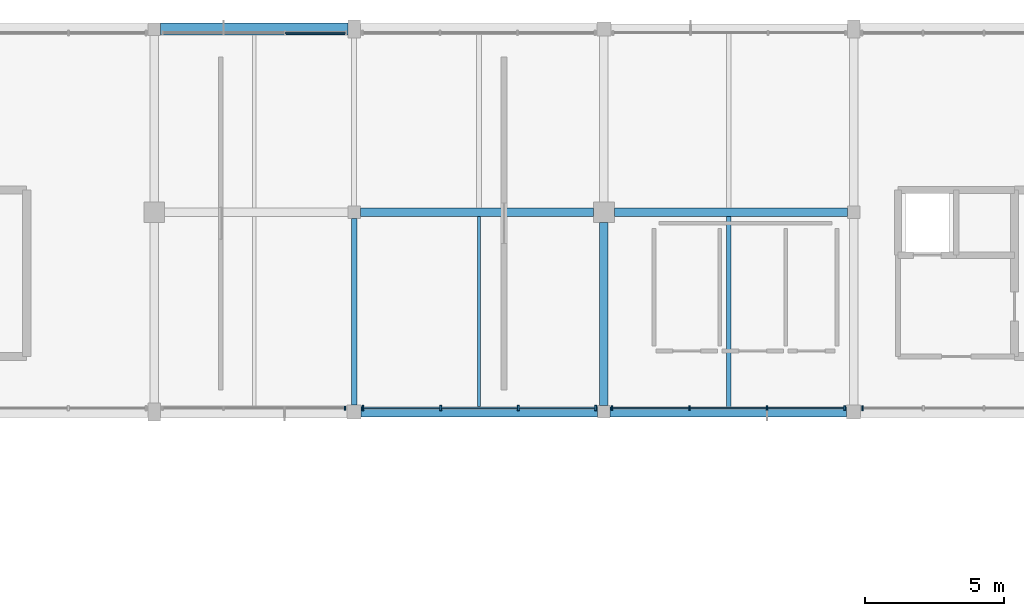
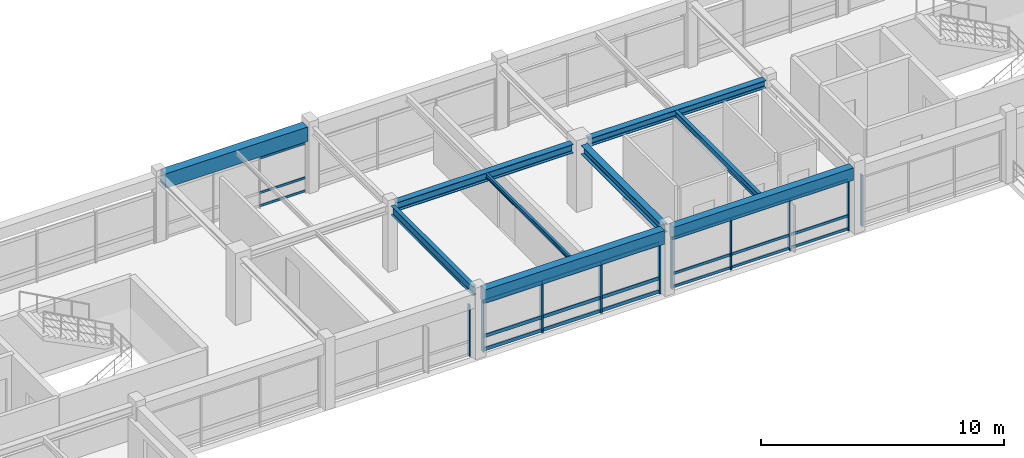
# One storey, part 25 of 74: 31 members, 9 beams, 5 elements without a shape of their own.
"""IFC4 building model written with IfcOpenShell, lengths in metres."""

from ifc_helpers import new_model, si_unit, direction, frame, origin, origin_2d, place, context, subcontext, project, spatial, rectangle, i_section, extrude, material, material_profile, profile_set, type_object, element, aggregate, save


model = new_model("IFC4")

# Units and contexts
model_context = context("Model", 3, precision=1e-05, world=origin(), true_north=direction((0.0, 1.0)))
body_context = subcontext(model_context, "Body", "Model", "MODEL_VIEW")
ifc_project = project(units=[si_unit("LENGTHUNIT", "METRE"), si_unit("AREAUNIT", "SQUARE_METRE"), si_unit("VOLUMEUNIT", "CUBIC_METRE"), si_unit("PLANEANGLEUNIT", "RADIAN"), si_unit("MASSUNIT", "GRAM", prefix="KILO")], contexts=[model_context])

# Site, building, storey
site_placement = place(None, origin())
site = spatial("IfcSite", under=ifc_project, at=site_placement, CompositionType="ELEMENT")
building_placement = place(site_placement, origin())
building = spatial("IfcBuilding", under=site, at=building_placement, Name="Clarverna Civic Hall", CompositionType="ELEMENT")
storey_placement = place(building_placement, frame((0.0, 0.0, 13.199951171875)))
storey = spatial("IfcBuildingStorey", under=building, at=storey_placement, Name="L03", CompositionType="ELEMENT", Elevation=13.199951171875)

# Beams
ifc_material_1 = material(Name="Concrete C35/45", Category="concrete")
ifc_material_profile_1 = material_profile(ifc_material_1, rectangle(XDim=0.419921875, YDim=0.719970703125, at=origin_2d()), Name="RC 420x720")
ifc_profile_set_1 = profile_set([ifc_material_profile_1], Name="Concrete C35/45")
beam_type_1 = type_object("IfcBeamType", Name="B-SP1", PredefinedType="SPANDREL", material=ifc_profile_set_1)
beam_1_placement = place(storey_placement, frame((25.425048828125, 116.0, 2.93994140625), z_axis=(1.0, 0.0, 0.0), x_axis=(0.0, 1.0, 0.0)))
element("IfcBeam", 1, at=beam_1_placement, inside=storey, type_object=beam_type_1, Name="B-SP1-115", PredefinedType="SPANDREL", context=body_context, shape_type="SweptSolid", body=[
    extrude(rectangle(XDim=0.419921875, YDim=0.719970703125, at=origin_2d()), origin(), (0.0, 0.0, 1.0), 6.75),
])
ifc_material_profile_2 = material_profile(ifc_material_1, rectangle(XDim=0.3798828125, YDim=0.679931640625, at=origin_2d()), Name="RC 380x680")
ifc_profile_set_2 = profile_set([ifc_material_profile_2], Name="Concrete C35/45")
beam_type_2 = type_object("IfcBeamType", Name="B-SP2", PredefinedType="SPANDREL", material=ifc_profile_set_2)
beam_2_placement = place(storey_placement, frame((32.64990234375, 102.199951171875, 2.9599609375), z_axis=(1.0, 0.0, 0.0), x_axis=(0.0, 1.0, 0.0)))
element("IfcBeam", 2, at=beam_2_placement, inside=storey, type_object=beam_type_2, Name="B-SP2-117", PredefinedType="SPANDREL", context=body_context, shape_type="SweptSolid", body=[
    extrude(rectangle(XDim=0.3798828125, YDim=0.679931640625, at=origin_2d()), origin(), (0.0, 0.0, 1.0), 8.525146484375),
])
ifc_material_profile_3 = material_profile(ifc_material_1, rectangle(XDim=0.360107421875, YDim=0.6201171875, at=origin_2d()), Name="RC 360x620")
ifc_profile_set_3 = profile_set([ifc_material_profile_3], Name="Concrete C35/45")
beam_type_3 = type_object("IfcBeamType", Name="B-SP3", PredefinedType="SPANDREL", material=ifc_profile_set_3)
beam_3_placement = place(storey_placement, frame((41.625, 102.199951171875, 2.989990234375), z_axis=(1.0, 0.0, 0.0), x_axis=(0.0, 1.0, 0.0)))
element("IfcBeam", 3, at=beam_3_placement, inside=storey, type_object=beam_type_3, Name="B-SP3-115", PredefinedType="SPANDREL", context=body_context, shape_type="SweptSolid", body=[
    extrude(rectangle(XDim=0.360107421875, YDim=0.6201171875, at=origin_2d()), origin(), (0.0, 0.0, 1.0), 8.52490234375),
])
ifc_material_2 = material(Name="Steel S355", Category="steel")
ifc_material_profile_4 = material_profile(ifc_material_2, i_section(OverallWidth=0.18994140625, OverallDepth=0.449951171875, WebThickness=0.009521484375, FlangeThickness=0.0146484375, FilletRadius=0.02099609375, at=origin_2d()), Name="IPE 450")
ifc_profile_set_4 = profile_set([ifc_material_profile_4], Name="Steel S355")
beam_type_4 = type_object("IfcBeamType", Name="B-ST13", PredefinedType="BEAM", material=ifc_profile_set_4)
beam_4_placement = place(storey_placement, frame((32.39990234375, 102.449951171875, 3.074951171875), z_axis=(0.0, 1.0, 0.0), x_axis=(-1.0, 0.0, 0.0)))
element("IfcBeam", 4, at=beam_4_placement, inside=storey, type_object=beam_type_4, Name="B-ST13-017", PredefinedType="BEAM", context=body_context, shape_type="SweptSolid", body=[
    extrude(i_section(OverallWidth=0.18994140625, OverallDepth=0.449951171875, WebThickness=0.009521484375, FlangeThickness=0.0146484375, FilletRadius=0.02099609375, at=origin_2d()), origin(), (0.0, 0.0, 1.0), 6.72509765625),
])
ifc_material_profile_5 = material_profile(ifc_material_2, i_section(OverallWidth=0.300048828125, OverallDepth=0.449951171875, WebThickness=0.013916015625, FlangeThickness=0.02587890625, FilletRadius=0.027099609375, at=origin_2d()), Name="HEB 450")
ifc_profile_set_5 = profile_set([ifc_material_profile_5], Name="Steel S355")
beam_type_5 = type_object("IfcBeamType", Name="B-ST3", PredefinedType="BEAM", material=ifc_profile_set_5)
beam_5_placement = place(storey_placement, frame((41.39990234375, 102.425048828125, 3.074951171875), z_axis=(0.0, 1.0, 0.0), x_axis=(-1.0, 0.0, 0.0)))
element("IfcBeam", 5, at=beam_5_placement, inside=storey, type_object=beam_type_5, Name="B-ST3-016", PredefinedType="BEAM", context=body_context, shape_type="SweptSolid", body=[
    extrude(i_section(OverallWidth=0.300048828125, OverallDepth=0.449951171875, WebThickness=0.013916015625, FlangeThickness=0.02587890625, FilletRadius=0.027099609375, at=origin_2d()), origin(), (0.0, 0.0, 1.0), 6.599853515625),
])
ifc_material_profile_6 = material_profile(ifc_material_2, i_section(OverallWidth=0.300048828125, OverallDepth=0.43994140625, WebThickness=0.011474609375, FlangeThickness=0.02099609375, FilletRadius=0.027099609375, at=origin_2d()), Name="HEA 450")
ifc_profile_set_6 = profile_set([ifc_material_profile_6], Name="Steel S355")
beam_type_6 = type_object("IfcBeamType", Name="B-ST5", PredefinedType="BEAM", material=ifc_profile_set_6)
beam_6_placement = place(storey_placement, frame((32.625, 109.39990234375, 3.080078125), z_axis=(1.0, 0.0, 0.0), x_axis=(0.0, 1.0, 0.0)))
element("IfcBeam", 6, at=beam_6_placement, inside=storey, type_object=beam_type_6, Name="B-ST5-109", PredefinedType="BEAM", context=body_context, shape_type="SweptSolid", body=[
    extrude(i_section(OverallWidth=0.300048828125, OverallDepth=0.43994140625, WebThickness=0.011474609375, FlangeThickness=0.02099609375, FilletRadius=0.027099609375, at=origin_2d()), origin(), (0.0, 0.0, 1.0), 8.39990234375),
])
ifc_material_profile_7 = material_profile(ifc_material_2, i_section(OverallWidth=0.300048828125, OverallDepth=0.389892578125, WebThickness=0.010986328125, FlangeThickness=0.01904296875, FilletRadius=0.027099609375, at=origin_2d()), Name="HEA 400")
ifc_profile_set_7 = profile_set([ifc_material_profile_7], Name="Steel S355")
beam_type_7 = type_object("IfcBeamType", Name="B-ST6", PredefinedType="BEAM", material=ifc_profile_set_7)
beam_7_placement = place(storey_placement, frame((41.77490234375, 109.39990234375, 3.10498046875), z_axis=(1.0, 0.0, 0.0), x_axis=(0.0, 1.0, 0.0)))
element("IfcBeam", 7, at=beam_7_placement, inside=storey, type_object=beam_type_7, Name="B-ST6-013", PredefinedType="BEAM", context=body_context, shape_type="SweptSolid", body=[
    extrude(i_section(OverallWidth=0.300048828125, OverallDepth=0.389892578125, WebThickness=0.010986328125, FlangeThickness=0.01904296875, FilletRadius=0.027099609375, at=origin_2d()), origin(), (0.0, 0.0, 1.0), 8.400146484375),
])

# Curtain wall, member
ifc_material_3 = material(Name="Anodised Bronze Architectural Aluminium", Category="aluminium")
curtain_wall_type = type_object("IfcCurtainWallType", Name="CW-05", PredefinedType="USERDEFINED", material=ifc_material_3)
curtain_wall_1_placement = place(storey_placement, origin())
curtain_wall_1 = element("IfcCurtainWall", 8, at=curtain_wall_1_placement, inside=storey, type_object=curtain_wall_type, Name="CW-05-009", ObjectType="UNITISED CURTAIN WALL", PredefinedType="USERDEFINED")
ifc_material_profile_8 = material_profile(ifc_material_3, rectangle(XDim=0.06005859375, YDim=0.179931640625, at=origin_2d()), Name="BRONZE 60x180")
ifc_profile_set_8 = profile_set([ifc_material_profile_8], Name="Anodised Bronze Architectural Aluminium")
member_type_1 = type_object("IfcMemberType", Name="CWM-01", PredefinedType="MULLION", material=ifc_profile_set_8)
member_1_placement = place(storey_placement, frame((50.722900390625, 102.340087890625, 0.0), z_axis=(0.0, 0.0, 1.0), x_axis=(1.0, 0.0, 0.0)))
member_1 = element("IfcMember", 9, at=member_1_placement, type_object=member_type_1, Name="CWM-01-139", PredefinedType="MULLION", context=body_context, shape_type="SweptSolid", body=[
    extrude(rectangle(XDim=0.06005859375, YDim=0.179931640625, at=origin_2d()), origin(), (0.0, 0.0, 1.0), 2.580078125),
])
aggregate(curtain_wall_1, [member_1])

# Curtain wall, members
curtain_wall_2_placement = place(storey_placement, origin())
curtain_wall_2 = element("IfcCurtainWall", 10, at=curtain_wall_2_placement, inside=storey, type_object=curtain_wall_type, Name="CW-05-010", ObjectType="UNITISED CURTAIN WALL", PredefinedType="USERDEFINED")
ifc_material_profile_9 = material_profile(ifc_material_3, rectangle(XDim=0.06005859375, YDim=0.159912109375, at=origin_2d()), Name="BRONZE 60x160")
ifc_profile_set_9 = profile_set([ifc_material_profile_9], Name="Anodised Bronze Architectural Aluminium")
member_type_2 = type_object("IfcMemberType", Name="CWM-02", PredefinedType="MULLION", material=ifc_profile_set_9)
member_2_placement = place(storey_placement, frame((50.076904296875, 102.340087890625, 0.0), z_axis=(0.0, 0.0, 1.0), x_axis=(1.0, 0.0, 0.0)))
member_2 = element("IfcMember", 11, at=member_2_placement, type_object=member_type_2, Name="CWM-02-176", PredefinedType="MULLION", context=body_context, shape_type="SweptSolid", body=[
    extrude(rectangle(XDim=0.06005859375, YDim=0.159912109375, at=origin_2d()), origin(), (0.0, 0.0, 1.0), 2.6201171875),
])
member_3_placement = place(storey_placement, frame((47.283935546875, 102.340087890625, 0.0), z_axis=(0.0, 0.0, 1.0), x_axis=(1.0, 0.0, 0.0)))
member_3 = element("IfcMember", 12, at=member_3_placement, type_object=member_type_2, Name="CWM-02-177", PredefinedType="MULLION", context=body_context, shape_type="SweptSolid", body=[
    extrude(rectangle(XDim=0.06005859375, YDim=0.159912109375, at=origin_2d()), origin(), (0.0, 0.0, 1.0), 2.6201171875),
])
member_4_placement = place(storey_placement, frame((44.490966796875, 102.340087890625, 0.0), z_axis=(0.0, 0.0, 1.0), x_axis=(1.0, 0.0, 0.0)))
member_4 = element("IfcMember", 13, at=member_4_placement, type_object=member_type_2, Name="CWM-02-178", PredefinedType="MULLION", context=body_context, shape_type="SweptSolid", body=[
    extrude(rectangle(XDim=0.06005859375, YDim=0.159912109375, at=origin_2d()), origin(), (0.0, 0.0, 1.0), 2.6201171875),
])
member_5_placement = place(storey_placement, frame((41.697998046875, 102.340087890625, 0.0), z_axis=(0.0, 0.0, 1.0), x_axis=(1.0, 0.0, 0.0)))
member_5 = element("IfcMember", 14, at=member_5_placement, type_object=member_type_2, Name="CWM-02-179", PredefinedType="MULLION", context=body_context, shape_type="SweptSolid", body=[
    extrude(rectangle(XDim=0.06005859375, YDim=0.159912109375, at=origin_2d()), origin(), (0.0, 0.0, 1.0), 2.6201171875),
])

curtain_wall_3_placement = place(storey_placement, origin())
curtain_wall_3 = element("IfcCurtainWall", 15, at=curtain_wall_3_placement, inside=storey, type_object=curtain_wall_type, Name="CW-05-011", ObjectType="UNITISED CURTAIN WALL", PredefinedType="USERDEFINED")
ifc_material_profile_10 = material_profile(ifc_material_3, rectangle(XDim=0.06494140625, YDim=0.199951171875, at=origin_2d()), Name="BRONZE 65x200")
ifc_profile_set_10 = profile_set([ifc_material_profile_10], Name="Anodised Bronze Architectural Aluminium")
member_type_3 = type_object("IfcMemberType", Name="CWM-03", PredefinedType="MULLION", material=ifc_profile_set_10)
member_6_placement = place(storey_placement, frame((41.10205078125, 102.340087890625, 0.0), z_axis=(0.0, 0.0, 1.0), x_axis=(1.0, 0.0, 0.0)))
member_6 = element("IfcMember", 16, at=member_6_placement, type_object=member_type_3, Name="CWM-03-139", PredefinedType="MULLION", context=body_context, shape_type="SweptSolid", body=[
    extrude(rectangle(XDim=0.06494140625, YDim=0.199951171875, at=origin_2d()), origin(), (0.0, 0.0, 1.0), 2.580078125),
])
member_7_placement = place(storey_placement, frame((38.30908203125, 102.340087890625, 0.0), z_axis=(0.0, 0.0, 1.0), x_axis=(1.0, 0.0, 0.0)))
member_7 = element("IfcMember", 17, at=member_7_placement, type_object=member_type_3, Name="CWM-03-140", PredefinedType="MULLION", context=body_context, shape_type="SweptSolid", body=[
    extrude(rectangle(XDim=0.06494140625, YDim=0.199951171875, at=origin_2d()), origin(), (0.0, 0.0, 1.0), 2.580078125),
])
member_8_placement = place(storey_placement, frame((35.51611328125, 102.340087890625, 0.0), z_axis=(0.0, 0.0, 1.0), x_axis=(1.0, 0.0, 0.0)))
member_8 = element("IfcMember", 18, at=member_8_placement, type_object=member_type_3, Name="CWM-03-141", PredefinedType="MULLION", context=body_context, shape_type="SweptSolid", body=[
    extrude(rectangle(XDim=0.06494140625, YDim=0.199951171875, at=origin_2d()), origin(), (0.0, 0.0, 1.0), 2.580078125),
])
member_9_placement = place(storey_placement, frame((32.722900390625, 102.340087890625, 0.0), z_axis=(0.0, 0.0, 1.0), x_axis=(1.0, 0.0, 0.0)))
member_9 = element("IfcMember", 19, at=member_9_placement, type_object=member_type_3, Name="CWM-03-142", PredefinedType="MULLION", context=body_context, shape_type="SweptSolid", body=[
    extrude(rectangle(XDim=0.06494140625, YDim=0.199951171875, at=origin_2d()), origin(), (0.0, 0.0, 1.0), 2.580078125),
])

# Curtain wall, member
curtain_wall_4_placement = place(storey_placement, origin())
curtain_wall_4 = element("IfcCurtainWall", 20, at=curtain_wall_4_placement, inside=storey, type_object=curtain_wall_type, Name="CW-05-012", ObjectType="UNITISED CURTAIN WALL", PredefinedType="USERDEFINED")
ifc_material_profile_11 = material_profile(ifc_material_3, rectangle(XDim=0.054931640625, YDim=0.139892578125, at=origin_2d()), Name="BRONZE 55x140")
ifc_profile_set_11 = profile_set([ifc_material_profile_11], Name="Anodised Bronze Architectural Aluminium")
member_type_4 = type_object("IfcMemberType", Name="CWM-04", PredefinedType="MULLION", material=ifc_profile_set_11)
member_10_placement = place(storey_placement, frame((32.076904296875, 102.340087890625, 0.0), z_axis=(0.0, 0.0, 1.0), x_axis=(1.0, 0.0, 0.0)))
member_10 = element("IfcMember", 21, at=member_10_placement, type_object=member_type_4, Name="CWM-04-180", PredefinedType="MULLION", context=body_context, shape_type="SweptSolid", body=[
    extrude(rectangle(XDim=0.054931640625, YDim=0.139892578125, at=origin_2d()), origin(), (0.0, 0.0, 1.0), 2.580078125),
])
aggregate(curtain_wall_4, [member_10])

# Member
ifc_material_profile_12 = material_profile(ifc_material_3, rectangle(XDim=0.06005859375, YDim=0.1298828125, at=origin_2d()), Name="BRONZE 60x130")
ifc_profile_set_12 = profile_set([ifc_material_profile_12], Name="Anodised Bronze Architectural Aluminium")
member_type_5 = type_object("IfcMemberType", Name="CWT-02", PredefinedType="USERDEFINED", material=ifc_profile_set_12)
member_11_placement = place(storey_placement, frame((50.06201171875, 102.340087890625, 0.094970703125), z_axis=(-1.0, 0.0, 0.0), x_axis=(0.0, -1.0, 0.0)))
member_11 = element("IfcMember", 22, at=member_11_placement, type_object=member_type_5, Name="CWT-02-370", ObjectType="TRANSOM", PredefinedType="USERDEFINED", context=body_context, shape_type="SweptSolid", body=[
    extrude(rectangle(XDim=0.06005859375, YDim=0.1298828125, at=origin_2d()), origin(), (0.0, 0.0, 1.0), 2.762939453125),
])

member_12_placement = place(storey_placement, frame((50.06201171875, 102.340087890625, 0.75), z_axis=(-1.0, 0.0, 0.0), x_axis=(0.0, -1.0, 0.0)))
member_12 = element("IfcMember", 23, at=member_12_placement, type_object=member_type_5, Name="CWT-02-371", ObjectType="TRANSOM", PredefinedType="USERDEFINED", context=body_context, shape_type="SweptSolid", body=[
    extrude(rectangle(XDim=0.06005859375, YDim=0.1298828125, at=origin_2d()), origin(), (0.0, 0.0, 1.0), 2.762939453125),
])

member_13_placement = place(storey_placement, frame((50.06201171875, 102.340087890625, 2.525146484375), z_axis=(-1.0, 0.0, 0.0), x_axis=(0.0, -1.0, 0.0)))
member_13 = element("IfcMember", 24, at=member_13_placement, type_object=member_type_5, Name="CWT-02-372", ObjectType="TRANSOM", PredefinedType="USERDEFINED", context=body_context, shape_type="SweptSolid", body=[
    extrude(rectangle(XDim=0.06005859375, YDim=0.1298828125, at=origin_2d()), origin(), (0.0, 0.0, 1.0), 2.762939453125),
])

member_14_placement = place(storey_placement, frame((47.26904296875, 102.340087890625, 0.094970703125), z_axis=(-1.0, 0.0, 0.0), x_axis=(0.0, -1.0, 0.0)))
member_14 = element("IfcMember", 25, at=member_14_placement, type_object=member_type_5, Name="CWT-02-373", ObjectType="TRANSOM", PredefinedType="USERDEFINED", context=body_context, shape_type="SweptSolid", body=[
    extrude(rectangle(XDim=0.06005859375, YDim=0.1298828125, at=origin_2d()), origin(), (0.0, 0.0, 1.0), 2.762939453125),
])

member_15_placement = place(storey_placement, frame((47.26904296875, 102.340087890625, 0.75), z_axis=(-1.0, 0.0, 0.0), x_axis=(0.0, -1.0, 0.0)))
member_15 = element("IfcMember", 26, at=member_15_placement, type_object=member_type_5, Name="CWT-02-374", ObjectType="TRANSOM", PredefinedType="USERDEFINED", context=body_context, shape_type="SweptSolid", body=[
    extrude(rectangle(XDim=0.06005859375, YDim=0.1298828125, at=origin_2d()), origin(), (0.0, 0.0, 1.0), 2.762939453125),
])

member_16_placement = place(storey_placement, frame((47.26904296875, 102.340087890625, 2.525146484375), z_axis=(-1.0, 0.0, 0.0), x_axis=(0.0, -1.0, 0.0)))
member_16 = element("IfcMember", 27, at=member_16_placement, type_object=member_type_5, Name="CWT-02-375", ObjectType="TRANSOM", PredefinedType="USERDEFINED", context=body_context, shape_type="SweptSolid", body=[
    extrude(rectangle(XDim=0.06005859375, YDim=0.1298828125, at=origin_2d()), origin(), (0.0, 0.0, 1.0), 2.762939453125),
])

member_17_placement = place(storey_placement, frame((44.47607421875, 102.340087890625, 0.094970703125), z_axis=(-1.0, 0.0, 0.0), x_axis=(0.0, -1.0, 0.0)))
member_17 = element("IfcMember", 28, at=member_17_placement, type_object=member_type_5, Name="CWT-02-376", ObjectType="TRANSOM", PredefinedType="USERDEFINED", context=body_context, shape_type="SweptSolid", body=[
    extrude(rectangle(XDim=0.06005859375, YDim=0.1298828125, at=origin_2d()), origin(), (0.0, 0.0, 1.0), 2.76318359375),
])

member_18_placement = place(storey_placement, frame((44.47607421875, 102.340087890625, 0.75), z_axis=(-1.0, 0.0, 0.0), x_axis=(0.0, -1.0, 0.0)))
member_18 = element("IfcMember", 29, at=member_18_placement, type_object=member_type_5, Name="CWT-02-377", ObjectType="TRANSOM", PredefinedType="USERDEFINED", context=body_context, shape_type="SweptSolid", body=[
    extrude(rectangle(XDim=0.06005859375, YDim=0.1298828125, at=origin_2d()), origin(), (0.0, 0.0, 1.0), 2.76318359375),
])

member_19_placement = place(storey_placement, frame((44.47607421875, 102.340087890625, 2.525146484375), z_axis=(-1.0, 0.0, 0.0), x_axis=(0.0, -1.0, 0.0)))
member_19 = element("IfcMember", 30, at=member_19_placement, type_object=member_type_5, Name="CWT-02-378", ObjectType="TRANSOM", PredefinedType="USERDEFINED", context=body_context, shape_type="SweptSolid", body=[
    extrude(rectangle(XDim=0.06005859375, YDim=0.1298828125, at=origin_2d()), origin(), (0.0, 0.0, 1.0), 2.76318359375),
])

aggregate(curtain_wall_2, [member_2, member_3, member_4, member_5, member_11, member_12, member_13, member_14, member_15, member_16, member_17, member_18, member_19])

ifc_material_profile_13 = material_profile(ifc_material_3, rectangle(XDim=0.06494140625, YDim=0.169921875, at=origin_2d()), Name="BRONZE 65x170")
ifc_profile_set_13 = profile_set([ifc_material_profile_13], Name="Anodised Bronze Architectural Aluminium")
member_type_6 = type_object("IfcMemberType", Name="CWT-03", PredefinedType="USERDEFINED", material=ifc_profile_set_13)
member_20_placement = place(storey_placement, frame((41.0869140625, 102.340087890625, 0.094970703125), z_axis=(-1.0, 0.0, 0.0), x_axis=(0.0, -1.0, 0.0)))
member_20 = element("IfcMember", 31, at=member_20_placement, type_object=member_type_6, Name="CWT-03-295", ObjectType="TRANSOM", PredefinedType="USERDEFINED", context=body_context, shape_type="SweptSolid", body=[
    extrude(rectangle(XDim=0.06494140625, YDim=0.169921875, at=origin_2d()), origin(), (0.0, 0.0, 1.0), 2.762939453125),
])

member_21_placement = place(storey_placement, frame((41.0869140625, 102.340087890625, 0.75), z_axis=(-1.0, 0.0, 0.0), x_axis=(0.0, -1.0, 0.0)))
member_21 = element("IfcMember", 32, at=member_21_placement, type_object=member_type_6, Name="CWT-03-296", ObjectType="TRANSOM", PredefinedType="USERDEFINED", context=body_context, shape_type="SweptSolid", body=[
    extrude(rectangle(XDim=0.06494140625, YDim=0.169921875, at=origin_2d()), origin(), (0.0, 0.0, 1.0), 2.762939453125),
])

member_22_placement = place(storey_placement, frame((41.0869140625, 102.340087890625, 2.485107421875), z_axis=(-1.0, 0.0, 0.0), x_axis=(0.0, -1.0, 0.0)))
member_22 = element("IfcMember", 33, at=member_22_placement, type_object=member_type_6, Name="CWT-03-297", ObjectType="TRANSOM", PredefinedType="USERDEFINED", context=body_context, shape_type="SweptSolid", body=[
    extrude(rectangle(XDim=0.06494140625, YDim=0.169921875, at=origin_2d()), origin(), (0.0, 0.0, 1.0), 2.762939453125),
])

member_23_placement = place(storey_placement, frame((38.2939453125, 102.340087890625, 0.094970703125), z_axis=(-1.0, 0.0, 0.0), x_axis=(0.0, -1.0, 0.0)))
member_23 = element("IfcMember", 34, at=member_23_placement, type_object=member_type_6, Name="CWT-03-298", ObjectType="TRANSOM", PredefinedType="USERDEFINED", context=body_context, shape_type="SweptSolid", body=[
    extrude(rectangle(XDim=0.06494140625, YDim=0.169921875, at=origin_2d()), origin(), (0.0, 0.0, 1.0), 2.762939453125),
])

member_24_placement = place(storey_placement, frame((38.2939453125, 102.340087890625, 0.75), z_axis=(-1.0, 0.0, 0.0), x_axis=(0.0, -1.0, 0.0)))
member_24 = element("IfcMember", 35, at=member_24_placement, type_object=member_type_6, Name="CWT-03-299", ObjectType="TRANSOM", PredefinedType="USERDEFINED", context=body_context, shape_type="SweptSolid", body=[
    extrude(rectangle(XDim=0.06494140625, YDim=0.169921875, at=origin_2d()), origin(), (0.0, 0.0, 1.0), 2.762939453125),
])

member_25_placement = place(storey_placement, frame((38.2939453125, 102.340087890625, 2.485107421875), z_axis=(-1.0, 0.0, 0.0), x_axis=(0.0, -1.0, 0.0)))
member_25 = element("IfcMember", 36, at=member_25_placement, type_object=member_type_6, Name="CWT-03-300", ObjectType="TRANSOM", PredefinedType="USERDEFINED", context=body_context, shape_type="SweptSolid", body=[
    extrude(rectangle(XDim=0.06494140625, YDim=0.169921875, at=origin_2d()), origin(), (0.0, 0.0, 1.0), 2.762939453125),
])

member_26_placement = place(storey_placement, frame((35.5009765625, 102.340087890625, 0.094970703125), z_axis=(-1.0, 0.0, 0.0), x_axis=(0.0, -1.0, 0.0)))
member_26 = element("IfcMember", 37, at=member_26_placement, type_object=member_type_6, Name="CWT-03-301", ObjectType="TRANSOM", PredefinedType="USERDEFINED", context=body_context, shape_type="SweptSolid", body=[
    extrude(rectangle(XDim=0.06494140625, YDim=0.169921875, at=origin_2d()), origin(), (0.0, 0.0, 1.0), 2.762939453125),
])

member_27_placement = place(storey_placement, frame((35.5009765625, 102.340087890625, 0.75), z_axis=(-1.0, 0.0, 0.0), x_axis=(0.0, -1.0, 0.0)))
member_27 = element("IfcMember", 38, at=member_27_placement, type_object=member_type_6, Name="CWT-03-302", ObjectType="TRANSOM", PredefinedType="USERDEFINED", context=body_context, shape_type="SweptSolid", body=[
    extrude(rectangle(XDim=0.06494140625, YDim=0.169921875, at=origin_2d()), origin(), (0.0, 0.0, 1.0), 2.762939453125),
])

member_28_placement = place(storey_placement, frame((35.5009765625, 102.340087890625, 2.485107421875), z_axis=(-1.0, 0.0, 0.0), x_axis=(0.0, -1.0, 0.0)))
member_28 = element("IfcMember", 39, at=member_28_placement, type_object=member_type_6, Name="CWT-03-303", ObjectType="TRANSOM", PredefinedType="USERDEFINED", context=body_context, shape_type="SweptSolid", body=[
    extrude(rectangle(XDim=0.06494140625, YDim=0.169921875, at=origin_2d()), origin(), (0.0, 0.0, 1.0), 2.762939453125),
])

aggregate(curtain_wall_3, [member_6, member_7, member_8, member_9, member_20, member_21, member_22, member_23, member_24, member_25, member_26, member_27, member_28])

# Curtain wall, members
curtain_wall_5_placement = place(storey_placement, origin())
curtain_wall_5 = element("IfcCurtainWall", 40, at=curtain_wall_5_placement, inside=storey, type_object=curtain_wall_type, Name="CW-05-004", ObjectType="UNITISED CURTAIN WALL", PredefinedType="USERDEFINED")
ifc_material_profile_14 = material_profile(ifc_material_3, rectangle(XDim=0.054931640625, YDim=0.110107421875, at=origin_2d()), Name="BRONZE 55x110")
ifc_profile_set_14 = profile_set([ifc_material_profile_14], Name="Anodised Bronze Architectural Aluminium")
member_type_7 = type_object("IfcMemberType", Name="CWT-04", PredefinedType="USERDEFINED", material=ifc_profile_set_14)
member_29_placement = place(storey_placement, frame((29.915771484375, 115.860107421875, 0.094970703125), z_axis=(1.0, 0.0, 0.0), x_axis=(0.0, 1.0, 0.0)))
member_29 = element("IfcMember", 41, at=member_29_placement, type_object=member_type_7, Name="CWT-04-367", ObjectType="TRANSOM", PredefinedType="USERDEFINED", context=body_context, shape_type="SweptSolid", body=[
    extrude(rectangle(XDim=0.054931640625, YDim=0.110107421875, at=origin_2d()), origin(), (0.0, 0.0, 1.0), 2.171142578125),
])
member_30_placement = place(storey_placement, frame((29.915771484375, 115.860107421875, 0.75), z_axis=(1.0, 0.0, 0.0), x_axis=(0.0, 1.0, 0.0)))
member_30 = element("IfcMember", 42, at=member_30_placement, type_object=member_type_7, Name="CWT-04-368", ObjectType="TRANSOM", PredefinedType="USERDEFINED", context=body_context, shape_type="SweptSolid", body=[
    extrude(rectangle(XDim=0.054931640625, YDim=0.110107421875, at=origin_2d()), origin(), (0.0, 0.0, 1.0), 2.171142578125),
])
member_31_placement = place(storey_placement, frame((29.915771484375, 115.860107421875, 2.485107421875), z_axis=(1.0, 0.0, 0.0), x_axis=(0.0, 1.0, 0.0)))
member_31 = element("IfcMember", 43, at=member_31_placement, type_object=member_type_7, Name="CWT-04-369", ObjectType="TRANSOM", PredefinedType="USERDEFINED", context=body_context, shape_type="SweptSolid", body=[
    extrude(rectangle(XDim=0.054931640625, YDim=0.110107421875, at=origin_2d()), origin(), (0.0, 0.0, 1.0), 2.171142578125),
])
aggregate(curtain_wall_5, [member_29, member_30, member_31])

# Beams
ifc_material_profile_15 = material_profile(ifc_material_2, i_section(OverallWidth=0.169921875, OverallDepth=0.360107421875, WebThickness=0.008056640625, FlangeThickness=0.0126953125, FilletRadius=0.01806640625, at=origin_2d()), Name="IPE 360")
ifc_profile_set_15 = profile_set([ifc_material_profile_15], Name="Steel S355")
beam_type_8 = type_object("IfcBeamType", Name="J-ST1", PredefinedType="JOIST", material=ifc_profile_set_15)
beam_8_placement = place(storey_placement, frame((45.89990234375, 102.3798828125, 3.1201171875), z_axis=(0.0, 1.0, 0.0), x_axis=(-1.0, 0.0, 0.0)))
element("IfcBeam", 44, at=beam_8_placement, inside=storey, type_object=beam_type_8, Name="J-ST1-065", PredefinedType="JOIST", context=body_context, shape_type="SweptSolid", body=[
    extrude(i_section(OverallWidth=0.169921875, OverallDepth=0.360107421875, WebThickness=0.008056640625, FlangeThickness=0.0126953125, FilletRadius=0.01806640625, at=origin_2d()), origin(), (0.0, 0.0, 1.0), 6.8701171875),
])
ifc_material_profile_16 = material_profile(ifc_material_2, i_section(OverallWidth=0.110107421875, OverallDepth=0.219970703125, WebThickness=0.005859375, FlangeThickness=0.00927734375, FilletRadius=0.011962890625, at=origin_2d()), Name="IPE 220")
ifc_profile_set_16 = profile_set([ifc_material_profile_16], Name="Steel S355")
beam_type_9 = type_object("IfcBeamType", Name="J-ST6", PredefinedType="JOIST", material=ifc_profile_set_16)
beam_9_placement = place(storey_placement, frame((36.89990234375, 102.389892578125, 3.18994140625), z_axis=(0.0, 1.0, 0.0), x_axis=(-1.0, 0.0, 0.0)))
element("IfcBeam", 45, at=beam_9_placement, inside=storey, type_object=beam_type_9, Name="J-ST6-065", PredefinedType="JOIST", context=body_context, shape_type="SweptSolid", body=[
    extrude(i_section(OverallWidth=0.110107421875, OverallDepth=0.219970703125, WebThickness=0.005859375, FlangeThickness=0.00927734375, FilletRadius=0.011962890625, at=origin_2d()), origin(), (0.0, 0.0, 1.0), 6.860107421875),
])

save(model, "model.ifc")
